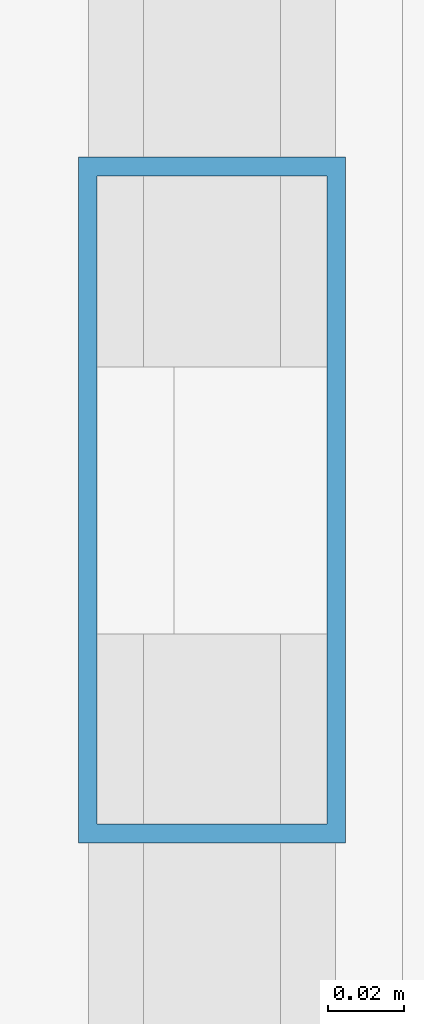
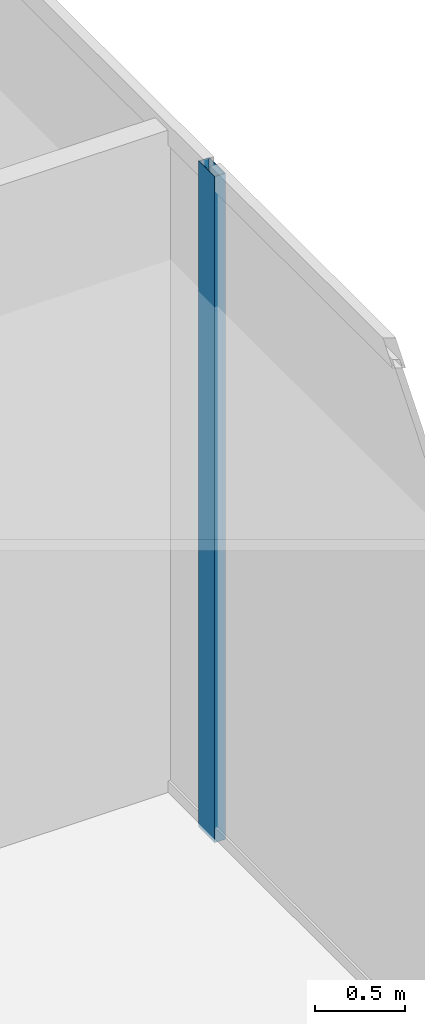
# One storey, part 24 of 37: 1 member, 1 element without a shape of its own.
"""IFC4 building model written with IfcOpenShell, lengths in metres."""

from ifc_helpers import new_model, si_unit, direction, frame, origin, origin_2d, place, context, subcontext, project, spatial, hollow_rectangle, extrude, source, transform, mapped, material, layer, layer_set, material_profile, profile_set, type_object, type_shapes, element, aggregate, save


model = new_model("IFC4")

# Units and contexts
model_context = context("Model", 3, precision=1e-05, world=origin(), true_north=direction((0.0, 1.0)))
body_context = subcontext(model_context, "Body", "Model", "MODEL_VIEW")
ifc_project = project(units=[si_unit("LENGTHUNIT", "METRE"), si_unit("AREAUNIT", "SQUARE_METRE"), si_unit("VOLUMEUNIT", "CUBIC_METRE"), si_unit("PLANEANGLEUNIT", "RADIAN"), si_unit("MASSUNIT", "GRAM", prefix="KILO")], contexts=[model_context])

# Site, building, storey
site_placement = place(None, origin())
site = spatial("IfcSite", under=ifc_project, at=site_placement, CompositionType="ELEMENT")
building_placement = place(site_placement, origin())
building = spatial("IfcBuilding", under=site, at=building_placement, Name="Haelvirn Gate Laboratories", CompositionType="ELEMENT")
storey_placement = place(building_placement, frame((0.0, 0.0, 196.60009765625)))
storey = spatial("IfcBuildingStorey", under=building, at=storey_placement, Name="L47", CompositionType="ELEMENT", Elevation=196.60009765625)

# Curtain wall, member
ifc_material_1 = material(Name="Anodised bronze unitised aluminium & triple low-E glass", Category="aluminium")
ifc_layer = layer(ifc_material_1, 0.176025390625, Name="CW-SYS-4")
ifc_layer_set = layer_set([ifc_layer], Name="Anodised bronze unitised aluminium & triple low-E glass")
curtain_wall_type = type_object("IfcCurtainWallType", Name="CW-SYS-4", PredefinedType="NOTDEFINED", material=ifc_layer_set)
curtain_wall_placement = place(storey_placement, origin())
curtain_wall = element("IfcCurtainWall", 1, at=curtain_wall_placement, inside=storey, type_object=curtain_wall_type, Name="L47 Unitised Curtain Wall CW-L47-P0-E07", PredefinedType="NOTDEFINED")
ifc_material_2 = material(Name="Extruded aluminium 6063-T6 (anodised bronze)", Category="aluminium")
ifc_material_profile = material_profile(ifc_material_2, hollow_rectangle(XDim=0.070068359375, YDim=0.179931640625, WallThickness=0.0048828125, at=origin_2d()), Name="CWM-180x70x5")
ifc_profile_set = profile_set([ifc_material_profile], Name="Extruded aluminium 6063-T6 (anodised bronze)")
member_type = type_object("IfcMemberType", Name="CWM-T180", PredefinedType="MULLION", material=ifc_profile_set)
shared_shape = source(origin(), body_context, "Body", "SweptSolid", [
    extrude(hollow_rectangle(XDim=0.070068359375, YDim=0.179931640625, WallThickness=0.0048828125, at=origin_2d()), origin(), (0.0, 0.0, 1.0), 4.5),
])
type_shapes(member_type, [shared_shape])
member_placement = place(storey_placement, frame((70.699951171875, 24.300048828125, 0.0), z_axis=(0.0, 0.0, 1.0), x_axis=(-1.0, 0.0, 0.0)))
member = element("IfcMember", 2, at=member_placement, type_object=member_type, Name="CW4 mullion 2", PredefinedType="MULLION", context=body_context, shape_type="MappedRepresentation", body=[
    mapped(shared_shape, transform((0.0, 0.0, 0.0), scale=1.0)),
])
aggregate(curtain_wall, [member])

save(model, "model.ifc")
